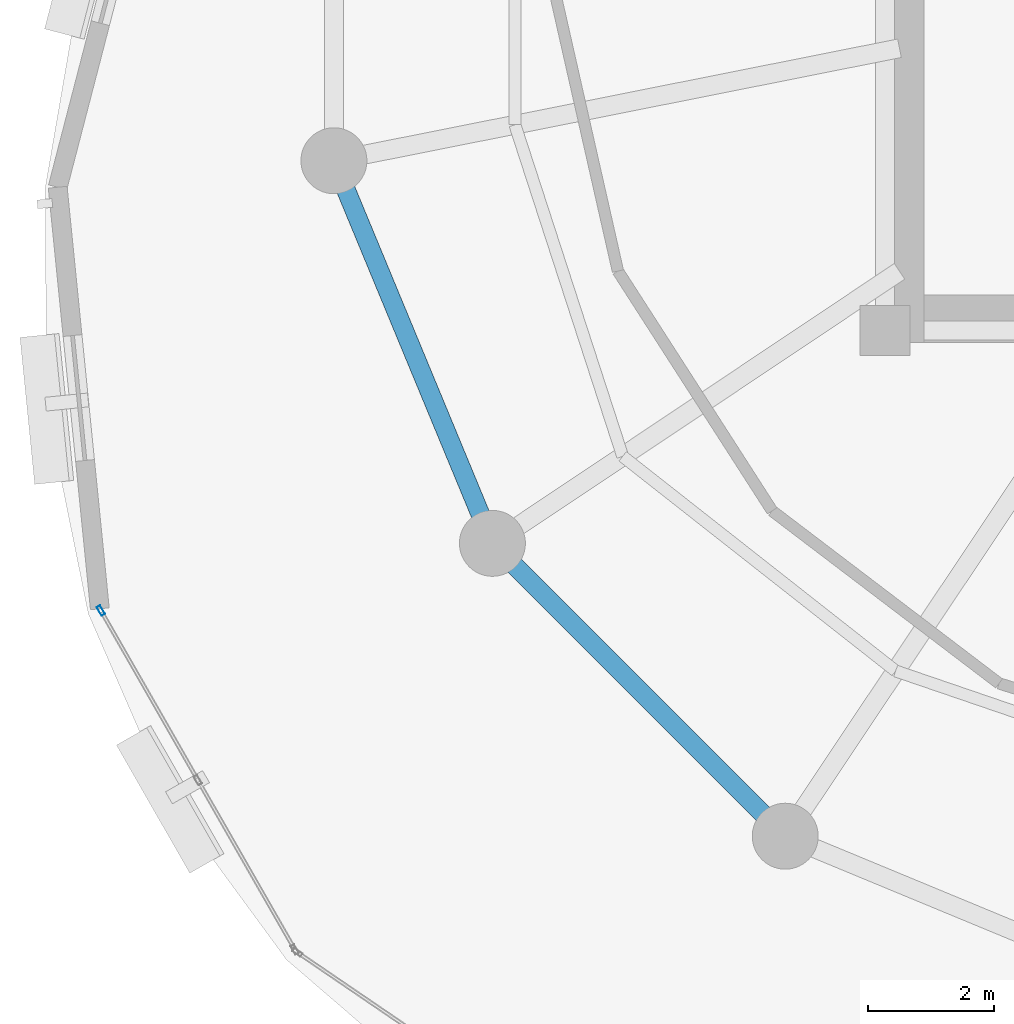
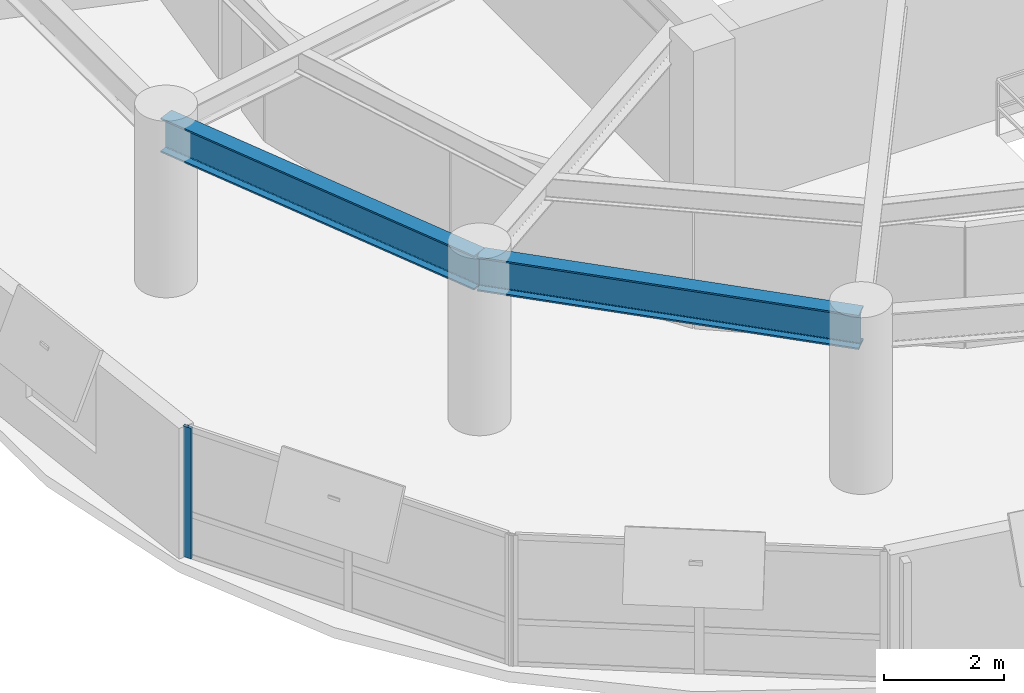
# One storey, part 4 of 12: 2 beams, 1 member, 1 element without a shape of its own.
"""IFC4 building model written with IfcOpenShell, lengths in metres."""

from ifc_helpers import new_model, si_unit, direction, frame, origin, origin_2d, place, context, subcontext, project, spatial, hollow_rectangle, i_section, extrude, material, layer, layer_set, material_profile, profile_set, type_object, element, aggregate, save


model = new_model("IFC4")

# Units and contexts
model_context = context("Model", 3, precision=1e-05, world=origin(), true_north=direction((0.0, 1.0)))
body_context = subcontext(model_context, "Body", "Model", "MODEL_VIEW")
ifc_project = project(units=[si_unit("LENGTHUNIT", "METRE"), si_unit("AREAUNIT", "SQUARE_METRE"), si_unit("VOLUMEUNIT", "CUBIC_METRE"), si_unit("PLANEANGLEUNIT", "RADIAN"), si_unit("MASSUNIT", "GRAM", prefix="KILO"), si_unit("THERMODYNAMICTEMPERATUREUNIT", "KELVIN"), si_unit("POWERUNIT", "WATT")], contexts=[model_context])

# Site, building, storey
site_placement = place(None, origin())
site = spatial("IfcSite", under=ifc_project, at=site_placement, CompositionType="ELEMENT")
building_placement = place(site_placement, origin())
building = spatial("IfcBuilding", under=site, at=building_placement, Name="Ocrelia Relay Tower", CompositionType="ELEMENT")
storey_placement = place(building_placement, frame((0.0, 0.0, 209.60009765625)))
storey = spatial("IfcBuildingStorey", under=building, at=storey_placement, Name="L51", CompositionType="ELEMENT", Elevation=209.60009765625)

# Beams
ifc_material_1 = material(Name="Steel S355", Category="steel")
ifc_material_profile_1 = material_profile(ifc_material_1, i_section(OverallWidth=0.300048828125, OverallDepth=0.699951171875, WebThickness=0.01708984375, FlangeThickness=0.031982421875, FilletRadius=0.027099609375, at=origin_2d()), Name="HEB 700")
ifc_profile_set_1 = profile_set([ifc_material_profile_1], Name="Steel S355")
beam_type = type_object("IfcBeamType", Name="BM-HEB700", PredefinedType="BEAM", material=ifc_profile_set_1)
for number, where, z_axis, x_axis, name in (
    (1, (17.4248046875, 22.702880859375, 3.02978515625), (0.382687508402, -0.923877844151, 0.0), (0.923877844151, 0.382687508402, 0.0), "L51 Perimeter Spandrel Beam S09"),
    (2, (19.9482421875, 16.61083984375, 3.02978515625), (0.707106781187, -0.707106781187, 0.0), (0.707106781187, 0.707106781187, 0.0), "L51 Perimeter Spandrel Beam S10"),
):
    element("IfcBeam", number, at=place(storey_placement, frame(where, z_axis=z_axis, x_axis=x_axis)), inside=storey, type_object=beam_type, Name=name, PredefinedType="BEAM", context=body_context, shape_type="SweptSolid", body=[
        extrude(i_section(OverallWidth=0.300048828125, OverallDepth=0.699951171875, WebThickness=0.01708984375, FlangeThickness=0.031982421875, FilletRadius=0.027099609375, at=origin_2d()), origin(), (0.0, 0.0, 1.0), 6.593994140625),
    ])

# Curtain wall, member
ifc_material_2 = material(Name="Aluminium and solar-control low-E glass", Category="aluminium")
ifc_layer = layer(ifc_material_2, 0.179931640625, Name="Aluminium and solar-control low-E glass")
ifc_layer_set = layer_set([ifc_layer], Name="Aluminium and solar-control low-E glass")
curtain_wall_type = type_object("IfcCurtainWallType", Name="CW-SYS-Z3-CLOU", PredefinedType="NOTDEFINED", material=ifc_layer_set)
curtain_wall_placement = place(storey_placement, origin())
curtain_wall = element("IfcCurtainWall", 3, at=curtain_wall_placement, inside=storey, type_object=curtain_wall_type, Name="L51 Elliptical Tower Curtain Wall Bay 09", PredefinedType="NOTDEFINED")
ifc_material_3 = material(Name="Anodised bronze aluminium", Category="aluminium")
ifc_material_profile_2 = material_profile(ifc_material_3, hollow_rectangle(XDim=0.06494140625, YDim=0.159912109375, WallThickness=0.0048828125, at=origin_2d()), Name="CW-MUL-160x65")
ifc_profile_set_2 = profile_set([ifc_material_profile_2], Name="Anodised bronze aluminium")
member_type = type_object("IfcMemberType", Name="CW-SYS-Z3-CLOU-MUL", PredefinedType="MULLION", material=ifc_profile_set_2)
member_placement = place(storey_placement, frame((13.713623046875, 15.54150390625, 0.0), z_axis=(0.0, 0.0, 1.0), x_axis=(0.868022670008, 0.496524565709, 0.0)))
member = element("IfcMember", 4, at=member_placement, type_object=member_type, Name="CW-Z3 mullion 1", PredefinedType="MULLION", context=body_context, shape_type="SweptSolid", body=[
    extrude(hollow_rectangle(XDim=0.06494140625, YDim=0.159912109375, WallThickness=0.0048828125, at=origin_2d()), origin(), (0.0, 0.0, 1.0), 2.659912109375),
])
aggregate(curtain_wall, [member])

save(model, "model.ifc")
